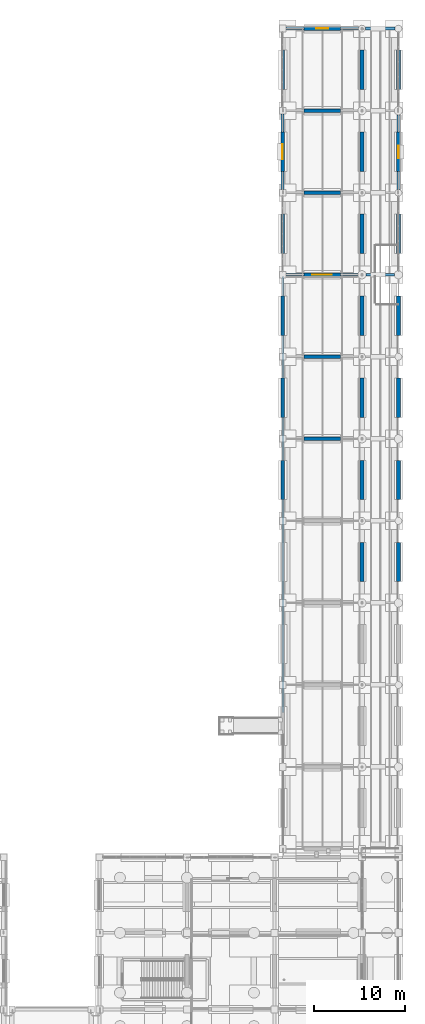
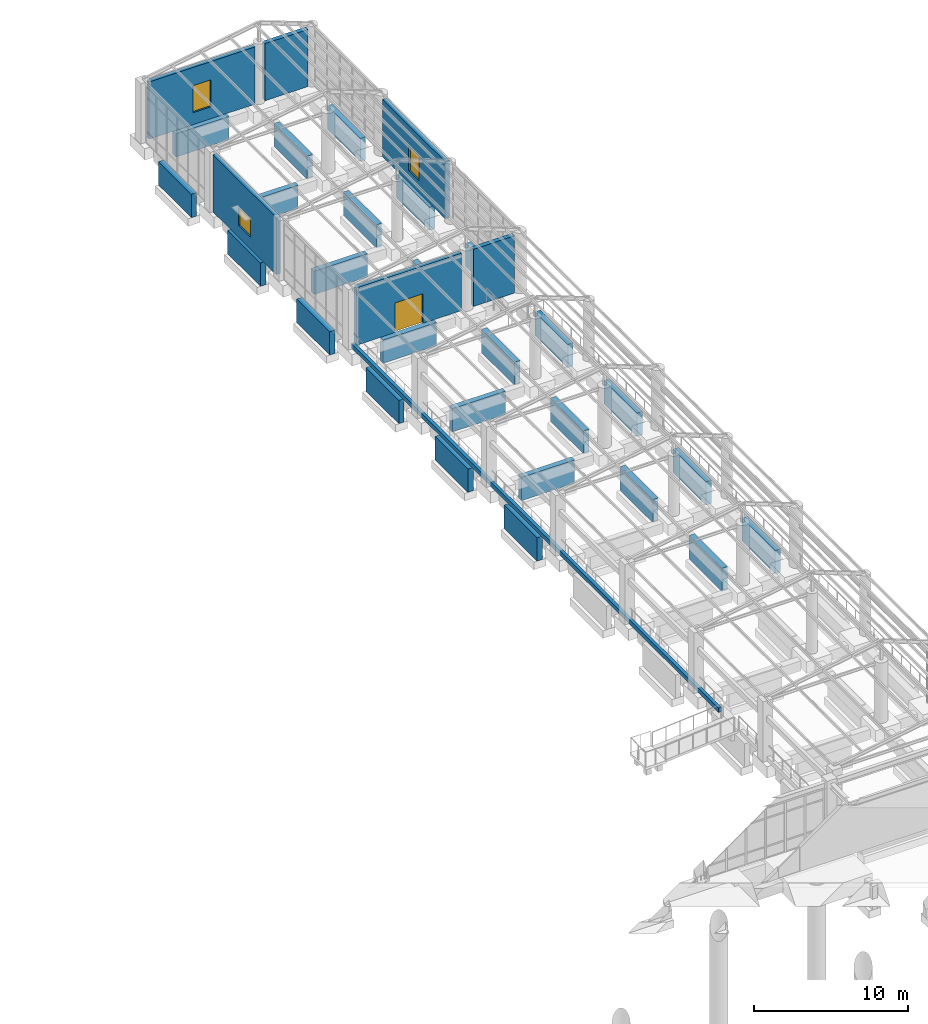
# One storey, part 88 of 111: 33 walls, 3 windows, 1 door, 4 openings.
"""IFC4 building model written with IfcOpenShell, lengths in metres."""

from ifc_helpers import new_model, si_unit, direction, frame, frame_2d, origin, place, context, subcontext, project, spatial, rectangle, extrude, material, layer, layer_set, type_object, element, fill, save


model = new_model("IFC4")

# Units and contexts
model_context = context("Model", 3, precision=1e-05, world=origin(), true_north=direction((0.0, 1.0)))
body_context = subcontext(model_context, "Body", "Model", "MODEL_VIEW")
ifc_project = project(units=[si_unit("LENGTHUNIT", "METRE"), si_unit("AREAUNIT", "SQUARE_METRE"), si_unit("VOLUMEUNIT", "CUBIC_METRE"), si_unit("PLANEANGLEUNIT", "RADIAN"), si_unit("MASSUNIT", "GRAM", prefix="KILO")], contexts=[model_context])

# Site, building, storey
site_placement = place(None, origin())
site = spatial("IfcSite", under=ifc_project, at=site_placement, CompositionType="ELEMENT")
building_placement = place(site_placement, origin())
building = spatial("IfcBuilding", under=site, at=building_placement, Name="Canglan Escarpment Cableway Terminal", CompositionType="ELEMENT")
storey_placement = place(building_placement, frame((0.0, 0.0, 4.800048828125)))
storey = spatial("IfcBuildingStorey", under=building, at=storey_placement, Name="L01", CompositionType="ELEMENT", Elevation=4.800048828125)

# Walls
ifc_material_1 = material(Name="Concrete C40", Category="concrete")
ifc_layer_1 = layer(ifc_material_1, 0.39990234375, Name="Concrete C40")
ifc_layer_set_1 = layer_set([ifc_layer_1], Name="Concrete C40")
wall_type_1 = type_object("IfcWallType", Name="WL-BENCH-SOLID-400", PredefinedType="SOLIDWALL", material=ifc_layer_set_1)
for number, where, z_axis, x_axis, name in (
    (1, (169.64990234375, 79.0, -2.10009765625), (0.0, 0.0, 1.0), (1.0, 0.0, 0.0), "Hillside bench foundation wall BWALL-X-FB6-6-1"),
    (2, (169.64990234375, 88.0, -2.10009765625), (0.0, 0.0, 1.0), (1.0, 0.0, 0.0), "Hillside bench foundation wall BWALL-X-FB6-7-1"),
    (3, (169.64990234375, 97.0, -2.10009765625), (0.0, 0.0, 1.0), (1.0, 0.0, 0.0), "Hillside bench foundation wall BWALL-X-FB6-8-1"),
    (4, (169.64990234375, 106.0, -2.10009765625), (0.0, 0.0, 1.0), (1.0, 0.0, 0.0), "Hillside bench foundation wall BWALL-X-FB6-9-1"),
    (5, (169.64990234375, 115.0, -2.10009765625), (0.0, 0.0, 1.0), (1.0, 0.0, 0.0), "Hillside bench foundation wall BWALL-X-FB6-10-1"),
    (6, (169.64990234375, 124.0, -2.10009765625), (0.0, 0.0, 1.0), (1.0, 0.0, 0.0), "Hillside bench foundation wall BWALL-X-FB6-11-1"),
):
    element("IfcWall", number, at=place(storey_placement, frame(where, z_axis=z_axis, x_axis=x_axis)), inside=storey, type_object=wall_type_1, Name=name, PredefinedType="SOLIDWALL", context=body_context, shape_type="SweptSolid", body=[
        extrude(rectangle(XDim=4.0, YDim=0.39990234375, at=frame_2d((2.0, 0.0))), origin(), (0.0, 0.0, 1.0), 1.85009765625),
    ])
for number, where, z_axis, x_axis, name in (
    (7, (167.300048828125, 72.35009765625, -2.10009765625), (0.0, 0.0, 1.0), (0.0, 1.0, 0.0), "Hillside bench transverse foundation wall BWALL-Y-FB6-1-5"),
    (8, (167.300048828125, 81.35009765625, -2.10009765625), (0.0, 0.0, 1.0), (0.0, 1.0, 0.0), "Hillside bench transverse foundation wall BWALL-Y-FB6-1-6"),
    (9, (167.300048828125, 90.35009765625, -2.10009765625), (0.0, 0.0, 1.0), (0.0, 1.0, 0.0), "Hillside bench transverse foundation wall BWALL-Y-FB6-1-7"),
    (10, (167.300048828125, 99.35009765625, -2.10009765625), (0.0, 0.0, 1.0), (0.0, 1.0, 0.0), "Hillside bench transverse foundation wall BWALL-Y-FB6-1-8"),
    (11, (167.300048828125, 108.35009765625, -2.10009765625), (0.0, 0.0, 1.0), (0.0, 1.0, 0.0), "Hillside bench transverse foundation wall BWALL-Y-FB6-1-9"),
    (12, (167.300048828125, 117.35009765625, -2.10009765625), (0.0, 0.0, 1.0), (0.0, 1.0, 0.0), "Hillside bench transverse foundation wall BWALL-Y-FB6-1-10"),
    (13, (176.0, 63.35009765625, -2.10009765625), (0.0, 0.0, 1.0), (0.0, 1.0, 0.0), "Hillside bench transverse foundation wall BWALL-Y-FB6-2-4"),
    (14, (176.0, 72.35009765625, -2.10009765625), (0.0, 0.0, 1.0), (0.0, 1.0, 0.0), "Hillside bench transverse foundation wall BWALL-Y-FB6-2-5"),
    (15, (176.0, 81.35009765625, -2.10009765625), (0.0, 0.0, 1.0), (0.0, 1.0, 0.0), "Hillside bench transverse foundation wall BWALL-Y-FB6-2-6"),
    (16, (176.0, 90.35009765625, -2.10009765625), (0.0, 0.0, 1.0), (0.0, 1.0, 0.0), "Hillside bench transverse foundation wall BWALL-Y-FB6-2-7"),
    (17, (176.0, 99.35009765625, -2.10009765625), (0.0, 0.0, 1.0), (0.0, 1.0, 0.0), "Hillside bench transverse foundation wall BWALL-Y-FB6-2-8"),
    (18, (176.0, 108.35009765625, -2.10009765625), (0.0, 0.0, 1.0), (0.0, 1.0, 0.0), "Hillside bench transverse foundation wall BWALL-Y-FB6-2-9"),
    (19, (176.0, 117.35009765625, -2.10009765625), (0.0, 0.0, 1.0), (0.0, 1.0, 0.0), "Hillside bench transverse foundation wall BWALL-Y-FB6-2-10"),
    (20, (180.0, 63.35009765625, -2.10009765625), (0.0, 0.0, 1.0), (0.0, 1.0, 0.0), "Hillside bench transverse foundation wall BWALL-Y-FB6-3-4"),
    (21, (180.0, 72.35009765625, -2.10009765625), (0.0, 0.0, 1.0), (0.0, 1.0, 0.0), "Hillside bench transverse foundation wall BWALL-Y-FB6-3-5"),
    (22, (180.0, 81.35009765625, -2.10009765625), (0.0, 0.0, 1.0), (0.0, 1.0, 0.0), "Hillside bench transverse foundation wall BWALL-Y-FB6-3-6"),
    (23, (180.0, 90.35009765625, -2.10009765625), (0.0, 0.0, 1.0), (0.0, 1.0, 0.0), "Hillside bench transverse foundation wall BWALL-Y-FB6-3-7"),
    (24, (180.0, 99.35009765625, -2.10009765625), (0.0, 0.0, 1.0), (0.0, 1.0, 0.0), "Hillside bench transverse foundation wall BWALL-Y-FB6-3-8"),
    (25, (180.0, 108.35009765625, -2.10009765625), (0.0, 0.0, 1.0), (0.0, 1.0, 0.0), "Hillside bench transverse foundation wall BWALL-Y-FB6-3-9"),
    (26, (180.0, 117.35009765625, -2.10009765625), (0.0, 0.0, 1.0), (0.0, 1.0, 0.0), "Hillside bench transverse foundation wall BWALL-Y-FB6-3-10"),
):
    element("IfcWall", number, at=place(storey_placement, frame(where, z_axis=z_axis, x_axis=x_axis)), inside=storey, type_object=wall_type_1, Name=name, PredefinedType="SOLIDWALL", context=body_context, shape_type="SweptSolid", body=[
        extrude(rectangle(XDim=4.2998046875, YDim=0.39990234375, at=frame_2d((2.14990234375, 0.0))), origin(), (0.0, 0.0, 1.0), 1.85009765625),
    ])

# Wall, opening, door
ifc_material_2 = material(Name="Dressed ashlar limestone on Concrete C40", Category="masonry")
ifc_layer_2 = layer(ifc_material_2, 0.320068359375, Name="Dressed ashlar limestone on Concrete C40")
ifc_layer_set_2 = layer_set([ifc_layer_2], Name="Dressed ashlar limestone on Concrete C40")
wall_type_2 = type_object("IfcWallType", Name="WL-EXT-ASHLAR-320", PredefinedType="STANDARD", material=ifc_layer_set_2)
wall_1_placement = place(storey_placement, frame((167.675048828125, 97.0, 0.0), z_axis=(0.0, 0.0, 1.0), x_axis=(1.0, 0.0, 0.0)))
wall_1 = element("IfcWall", 27, at=wall_1_placement, inside=storey, type_object=wall_type_2, Name="Classical stone-faced exterior wall EW-FB6-L01-S-01", PredefinedType="STANDARD", context=body_context, shape_type="SweptSolid", body=[
    extrude(rectangle(XDim=7.875, YDim=0.320068359375, at=frame_2d((3.9375, 0.0))), origin(), (0.0, 0.0, 1.0), 4.550048828125),
])
opening_1_placement = place(wall_1_placement, frame((2.887451171875, 0.0, 0.0)))
opening_1 = element("IfcOpeningElement", 28, at=opening_1_placement, cuts=wall_1, Name="Opening ED-07", PredefinedType="OPENING", context=body_context, shape_type="SweptSolid", body=[
    extrude(rectangle(XDim=2.10009765625, YDim=2.35009765625, at=frame_2d((1.050048828125, 1.175048828125))), frame((0.0, 0.169921875, 0.0), z_axis=(0.0, -1.0, 0.0), x_axis=(1.0, 0.0, 0.0)), (0.0, 0.0, 1.0), 0.340087890625),
])
ifc_material_3 = material(Name="Anodized bronze aluminium and tempered safety glass", Category="aluminium")
door_type = type_object("IfcDoorType", Name="DR-EXT-COLN-2100", OperationType="NOTDEFINED", PredefinedType="DOOR", material=ifc_material_3)
door_placement = place(opening_1_placement, origin())
door = element("IfcDoor", 29, at=door_placement, inside=storey, type_object=door_type, Name="Classical colonnade pavilion glazed double door ED-07", OperationType="DOUBLE_DOOR_SINGLE_SWING", OverallHeight=2.35009765625, OverallWidth=2.10009765625, PredefinedType="DOOR", context=body_context, shape_type="SweptSolid", body=[
    extrude(rectangle(XDim=2.10009765625, YDim=2.35009765625, at=frame_2d((1.050048828125, 1.175048828125))), frame((0.0, 0.02490234375, 0.0), z_axis=(0.0, -1.0, 0.0), x_axis=(1.0, 0.0, 0.0)), (0.0, 0.0, 1.0), 0.050048828125),
])
fill(opening_1, door)

# Wall
wall_2_placement = place(storey_placement, frame((176.449951171875, 97.0, 0.0), z_axis=(0.0, 0.0, 1.0), x_axis=(1.0, 0.0, 0.0)))
element("IfcWall", 30, at=wall_2_placement, inside=storey, type_object=wall_type_2, Name="Classical stone-faced exterior wall EW-FB6-L01-S-02", PredefinedType="STANDARD", context=body_context, shape_type="SweptSolid", body=[
    extrude(rectangle(XDim=3.10009765625, YDim=0.320068359375, at=frame_2d((1.550048828125, 0.0))), origin(), (0.0, 0.0, 1.0), 4.550048828125),
])

# Wall, opening, window
wall_3_placement = place(storey_placement, frame((180.0, 106.375, 0.0), z_axis=(0.0, 0.0, 1.0), x_axis=(0.0, 1.0, 0.0)))
wall_3 = element("IfcWall", 31, at=wall_3_placement, inside=storey, type_object=wall_type_2, Name="Classical stone-faced exterior wall EW-FB6-L01-E-02", PredefinedType="STANDARD", context=body_context, shape_type="SweptSolid", body=[
    extrude(rectangle(XDim=8.175048828125, YDim=0.320068359375, at=frame_2d((4.08740234375, 0.0))), origin(), (0.0, 0.0, 1.0), 4.550048828125),
])
opening_2_placement = place(wall_3_placement, frame((3.41259765625, 0.0, 0.949951171875)))
opening_2 = element("IfcOpeningElement", 32, at=opening_2_placement, cuts=wall_3, Name="Opening W-07", PredefinedType="OPENING", context=body_context, shape_type="SweptSolid", body=[
    extrude(rectangle(XDim=1.35009765625, YDim=1.949951171875, at=frame_2d((0.675048828125, 0.97509765625))), frame((0.0, 0.169921875, 0.0), z_axis=(0.0, -1.0, 0.0), x_axis=(1.0, 0.0, 0.0)), (0.0, 0.0, 1.0), 0.340087890625),
])
ifc_material_4 = material(Name="Anodized bronze aluminium and Low-E double glazing", Category="aluminium")
window_type_1 = type_object("IfcWindowType", Name="WIN-EXT-07", PartitioningType="SINGLE_PANEL", PredefinedType="WINDOW", material=ifc_material_4)
window_1_placement = place(opening_2_placement, origin())
window_1 = element("IfcWindow", 33, at=window_1_placement, inside=storey, type_object=window_type_1, Name="Classical module window W-07", OverallHeight=1.949951171875, OverallWidth=1.35009765625, PartitioningType="SINGLE_PANEL", PredefinedType="WINDOW", context=body_context, shape_type="SweptSolid", body=[
    extrude(rectangle(XDim=1.35009765625, YDim=1.949951171875, at=frame_2d((0.675048828125, 0.97509765625))), frame((0.0, 0.030029296875, 0.0), z_axis=(0.0, -1.0, 0.0), x_axis=(1.0, 0.0, 0.0)), (0.0, 0.0, 1.0), 0.06005859375),
])
fill(opening_2, window_1)

wall_4_placement = place(storey_placement, frame((175.625, 124.0, 0.0), z_axis=(0.0, 0.0, 1.0), x_axis=(-1.0, 0.0, 0.0)))
wall_4 = element("IfcWall", 34, at=wall_4_placement, inside=storey, type_object=wall_type_2, Name="Classical stone-faced exterior wall EW-FB6-L01-N-01", PredefinedType="STANDARD", context=body_context, shape_type="SweptSolid", body=[
    extrude(rectangle(XDim=7.949951171875, YDim=0.320068359375, at=frame_2d((3.97509765625, 0.0))), origin(), (0.0, 0.0, 1.0), 4.550048828125),
])
opening_3_placement = place(wall_4_placement, frame((3.300048828125, 0.0, 0.949951171875)))
opening_3 = element("IfcOpeningElement", 35, at=opening_3_placement, cuts=wall_4, Name="Opening W-08", PredefinedType="OPENING", context=body_context, shape_type="SweptSolid", body=[
    extrude(rectangle(XDim=1.35009765625, YDim=2.14990234375, at=frame_2d((0.675048828125, 1.074951171875))), frame((0.0, 0.169921875, 0.0), z_axis=(0.0, -1.0, 0.0), x_axis=(1.0, 0.0, 0.0)), (0.0, 0.0, 1.0), 0.340087890625),
])
window_type_2 = type_object("IfcWindowType", Name="WIN-EXT-08", PartitioningType="SINGLE_PANEL", PredefinedType="WINDOW", material=ifc_material_4)
window_2_placement = place(opening_3_placement, origin())
window_2 = element("IfcWindow", 36, at=window_2_placement, inside=storey, type_object=window_type_2, Name="Classical module window W-08", OverallHeight=2.14990234375, OverallWidth=1.35009765625, PartitioningType="SINGLE_PANEL", PredefinedType="WINDOW", context=body_context, shape_type="SweptSolid", body=[
    extrude(rectangle(XDim=1.35009765625, YDim=2.14990234375, at=frame_2d((0.675048828125, 1.074951171875))), frame((0.0, 0.030029296875, 0.0), z_axis=(0.0, -1.0, 0.0), x_axis=(1.0, 0.0, 0.0)), (0.0, 0.0, 1.0), 0.06005859375),
])
fill(opening_3, window_2)

# Wall
wall_5_placement = place(storey_placement, frame((179.625, 124.0, 0.0), z_axis=(0.0, 0.0, 1.0), x_axis=(-1.0, 0.0, 0.0)))
element("IfcWall", 37, at=wall_5_placement, inside=storey, type_object=wall_type_2, Name="Classical stone-faced exterior wall EW-FB6-L01-N-02", PredefinedType="STANDARD", context=body_context, shape_type="SweptSolid", body=[
    extrude(rectangle(XDim=3.25, YDim=0.320068359375, at=frame_2d((1.625, 0.0))), origin(), (0.0, 0.0, 1.0), 4.550048828125),
])

# Wall, opening, window
wall_6_placement = place(storey_placement, frame((167.300048828125, 114.625, 0.0), z_axis=(0.0, 0.0, 1.0), x_axis=(0.0, -1.0, 0.0)))
wall_6 = element("IfcWall", 38, at=wall_6_placement, inside=storey, type_object=wall_type_2, Name="Classical stone-faced exterior wall EW-FB6-L01-W-02", PredefinedType="STANDARD", context=body_context, shape_type="SweptSolid", body=[
    extrude(rectangle(XDim=8.25, YDim=0.320068359375, at=frame_2d((4.125, 0.0))), origin(), (0.0, 0.0, 1.0), 4.550048828125),
])
opening_4_placement = place(wall_6_placement, frame((3.324951171875, 0.0, 0.949951171875)))
opening_4 = element("IfcOpeningElement", 39, at=opening_4_placement, cuts=wall_6, Name="Opening W-09", PredefinedType="OPENING", context=body_context, shape_type="SweptSolid", body=[
    extrude(rectangle(XDim=1.60009765625, YDim=1.449951171875, at=frame_2d((0.800048828125, 0.72509765625))), frame((0.0, 0.169921875, 0.0), z_axis=(0.0, -1.0, 0.0), x_axis=(1.0, 0.0, 0.0)), (0.0, 0.0, 1.0), 0.340087890625),
])
window_type_3 = type_object("IfcWindowType", Name="WIN-EXT-09", PartitioningType="SINGLE_PANEL", PredefinedType="WINDOW", material=ifc_material_4)
window_3_placement = place(opening_4_placement, origin())
window_3 = element("IfcWindow", 40, at=window_3_placement, inside=storey, type_object=window_type_3, Name="Classical module window W-09", OverallHeight=1.449951171875, OverallWidth=1.60009765625, PartitioningType="SINGLE_PANEL", PredefinedType="WINDOW", context=body_context, shape_type="SweptSolid", body=[
    extrude(rectangle(XDim=1.60009765625, YDim=1.449951171875, at=frame_2d((0.800048828125, 0.72509765625))), frame((0.0, 0.030029296875, 0.0), z_axis=(0.0, -1.0, 0.0), x_axis=(1.0, 0.0, 0.0)), (0.0, 0.0, 1.0), 0.06005859375),
])
fill(opening_4, window_3)

# Wall
ifc_material_5 = material(Name="Rusticated granite parapet wall", Category="masonry")
ifc_layer_3 = layer(ifc_material_5, 0.300048828125, Name="Rusticated granite parapet wall")
ifc_layer_set_3 = layer_set([ifc_layer_3], Name="Rusticated granite parapet wall")
wall_type_3 = type_object("IfcWallType", Name="WL-PAR-STONE-300", PredefinedType="PARAPET", material=ifc_layer_set_3)
wall_7_placement = place(storey_placement, frame((167.35009765625, 48.969970703125, 0.0), z_axis=(0.0, 0.0, 1.0), x_axis=(0.0, 1.0, 0.0)))
element("IfcWall", 41, at=wall_7_placement, inside=storey, type_object=wall_type_3, Name="Classical stone terrace plinth parapet PW-02", PredefinedType="PARAPET", context=body_context, shape_type="SweptSolid", body=[
    extrude(rectangle(XDim=47.81494140625, YDim=0.239990234375, at=frame_2d((23.907470703125, 0.0))), origin(), (0.0, 0.0, 1.0), 0.33984375),
])

save(model, "model.ifc")
